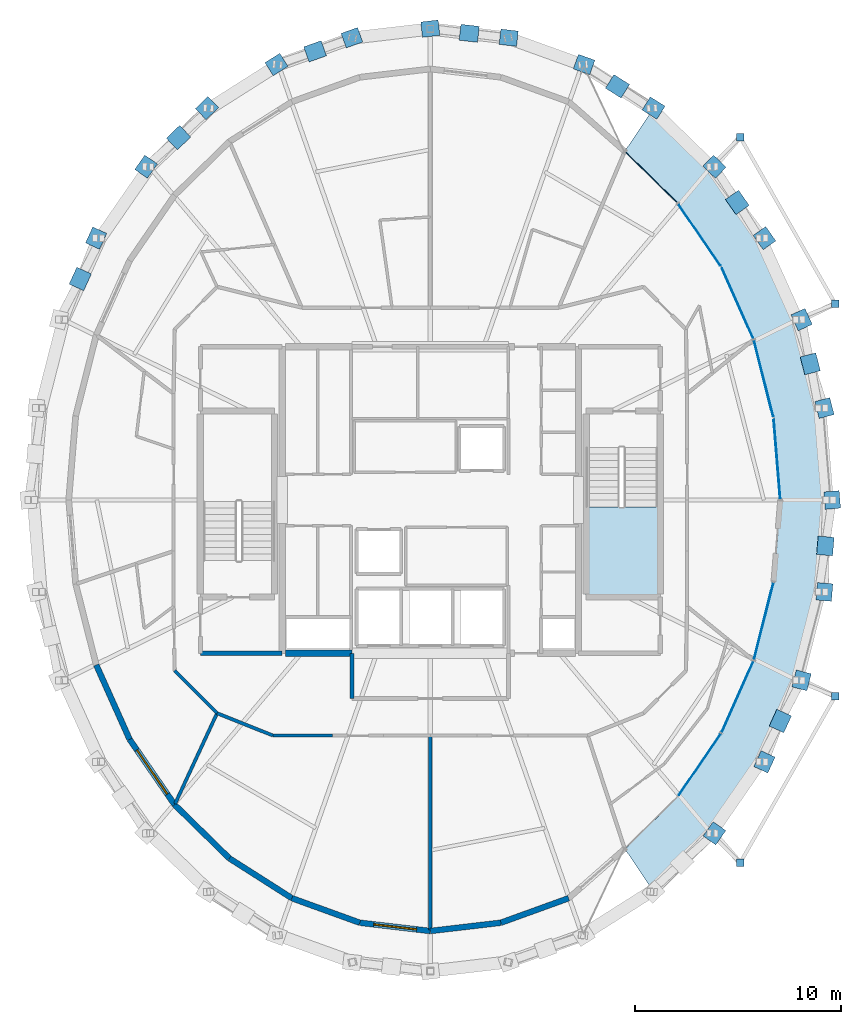
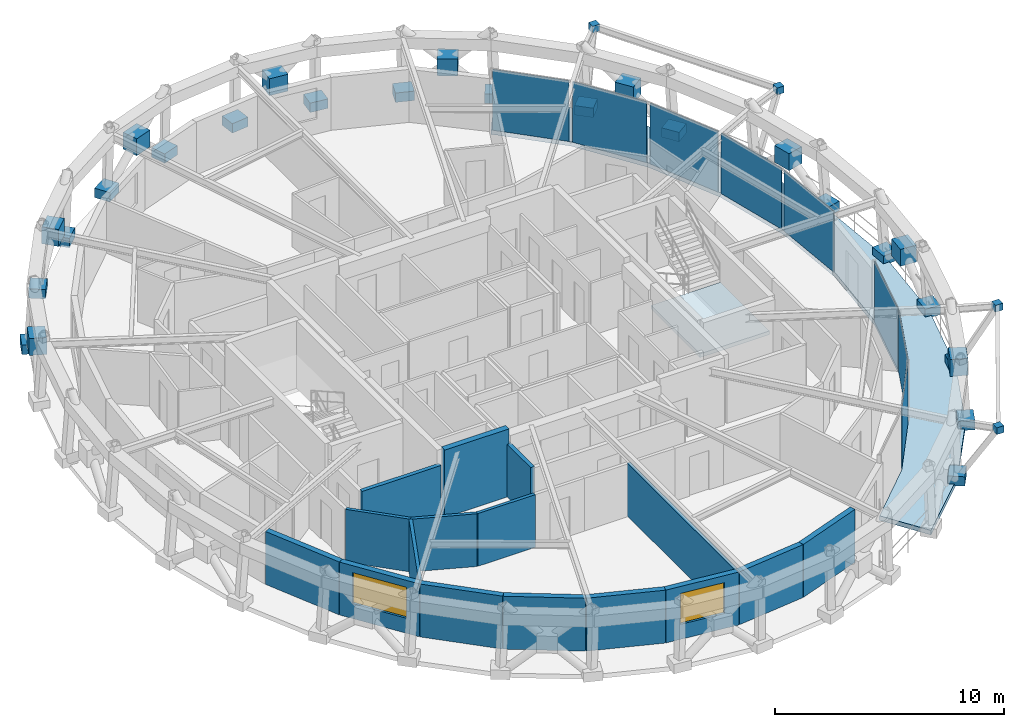
# One storey, part 9 of 14: 39 plates, 16 walls, 2 slabs, 2 windows, 2 openings, 3 elements without a shape of their own.
"""IFC4 building model written with IfcOpenShell, lengths in metres."""

from ifc_helpers import new_model, si_unit, direction, frame, frame_2d, origin, origin_2d, place, context, subcontext, project, spatial, polyline, rectangle, outline, extrude, material, layer, layer_set, type_object, element, fill, aggregate, save


model = new_model("IFC4")

# Units and contexts
model_context = context("Model", 3, precision=1e-05, world=origin(), true_north=direction((0.0, 1.0)))
body_context = subcontext(model_context, "Body", "Model", "MODEL_VIEW")
ifc_project = project(units=[si_unit("LENGTHUNIT", "METRE"), si_unit("AREAUNIT", "SQUARE_METRE"), si_unit("VOLUMEUNIT", "CUBIC_METRE"), si_unit("PLANEANGLEUNIT", "RADIAN"), si_unit("MASSUNIT", "GRAM", prefix="KILO")], contexts=[model_context])

# Site, building, storey
site_placement = place(None, origin())
site = spatial("IfcSite", under=ifc_project, at=site_placement, CompositionType="ELEMENT")
building_placement = place(site_placement, origin())
building = spatial("IfcBuilding", under=site, at=building_placement, Name="Veldorina Hangang Commons", CompositionType="ELEMENT")
storey_placement = place(building_placement, frame((0.0, 0.0, 294.0)))
storey = spatial("IfcBuildingStorey", under=building, at=storey_placement, Name="L77", CompositionType="ELEMENT", Elevation=294.0)

# Curtain wall, plates
ifc_material_1 = material(Name="Glass Low-E Selective", Category="glass")
ifc_layer_1 = layer(ifc_material_1, 0.179931640625)
ifc_layer_set_1 = layer_set([ifc_layer_1], Name="Glass Low-E Selective")
curtain_wall_type = type_object("IfcCurtainWallType", Name="CW-SYS-Z3", PredefinedType="NOTDEFINED", material=ifc_layer_set_1)
curtain_wall_1_placement = place(storey_placement, origin())
curtain_wall_1 = element("IfcCurtainWall", 1, at=curtain_wall_1_placement, inside=storey, type_object=curtain_wall_type, Name="L77 unitised curtain wall CW-L77-R1", PredefinedType="NOTDEFINED")
ifc_material_2 = material(Name="Glass Low-E Triple IGU", Category="glass")
ifc_layer_2 = layer(ifc_material_2, 0.0400390625)
ifc_layer_set_2 = layer_set([ifc_layer_2], Name="Glass Low-E Triple IGU")
plate_type_1 = type_object("IfcPlateType", Name="CW-PNL-VIS", PredefinedType="CURTAIN_PANEL", material=ifc_layer_set_2)
plate_1_placement = place(storey_placement, frame((48.8525390625, 25.9892578125, 0.014892578125), z_axis=(0.0, 0.0, 1.0), x_axis=(-0.081921114014, 0.996638816763, 0.0)))
plate_1 = element("IfcPlate", 2, at=plate_1_placement, type_object=plate_type_1, Name="CW-L77-R1 facet 1 glazed vision panel", PredefinedType="CURTAIN_PANEL", context=body_context, shape_type="SweptSolid", body=[
    extrude(rectangle(XDim=3.811767578125, YDim=0.0400390625, at=origin_2d()), origin(), (0.0, 0.0, 1.0), 3.22998046875),
])
plate_2_placement = place(storey_placement, frame((48.204833984375, 29.89111328125, 0.014892578125), z_axis=(0.0, 0.0, 1.0), x_axis=(-0.245391985011, 0.969423939096, 0.0)))
plate_2 = element("IfcPlate", 3, at=plate_2_placement, type_object=plate_type_1, Name="CW-L77-R1 facet 2 glazed vision panel", PredefinedType="CURTAIN_PANEL", context=body_context, shape_type="SweptSolid", body=[
    extrude(rectangle(XDim=3.76611328125, YDim=0.0400390625, at=origin_2d()), origin(), (0.0, 0.0, 1.0), 3.22998046875),
])
plate_3_placement = place(storey_placement, frame((46.9345703125, 33.56640625, 0.014892578125), z_axis=(0.0, 0.0, 1.0), x_axis=(-0.407326500142, 0.913282608113, 0.0)))
plate_3 = element("IfcPlate", 4, at=plate_3_placement, type_object=plate_type_1, Name="CW-L77-R1 facet 3 glazed vision panel", PredefinedType="CURTAIN_PANEL", context=body_context, shape_type="SweptSolid", body=[
    extrude(rectangle(XDim=3.680419921875, YDim=0.0400390625, at=origin_2d()), origin(), (0.0, 0.0, 1.0), 3.22998046875),
])
plate_4_placement = place(storey_placement, frame((45.090087890625, 36.874267578125, 0.014892578125), z_axis=(0.0, 0.0, 1.0), x_axis=(-0.565024605837, 0.82507405413, 0.0)))
plate_4 = element("IfcPlate", 5, at=plate_4_placement, type_object=plate_type_1, Name="CW-L77-R1 facet 4 glazed vision panel", PredefinedType="CURTAIN_PANEL", context=body_context, shape_type="SweptSolid", body=[
    extrude(rectangle(XDim=3.565185546875, YDim=0.0400390625, at=origin_2d()), origin(), (0.0, 0.0, 1.0), 3.22998046875),
])
plate_5_placement = place(storey_placement, frame((42.742919921875, 39.6875, 0.014892578125), z_axis=(0.0, 0.0, 1.0), x_axis=(-0.712956790403, 0.70120796845, 0.0)))
plate_5 = element("IfcPlate", 6, at=plate_5_placement, type_object=plate_type_1, Name="CW-L77-R1 facet 5 glazed vision panel", PredefinedType="CURTAIN_PANEL", context=body_context, shape_type="SweptSolid", body=[
    extrude(rectangle(XDim=3.4365234375, YDim=0.0400390625, at=origin_2d()), origin(), (0.0, 0.0, 1.0), 3.22998046875),
])
aggregate(curtain_wall_1, [plate_1, plate_2, plate_3, plate_4, plate_5])

curtain_wall_2_placement = place(storey_placement, origin())
curtain_wall_2 = element("IfcCurtainWall", 7, at=curtain_wall_2_placement, inside=storey, type_object=curtain_wall_type, Name="L77 unitised curtain wall CW-L77-R2", PredefinedType="NOTDEFINED")
plate_6_placement = place(storey_placement, frame((45.090087890625, 11.125732421875, 0.014892578125), z_axis=(0.0, 0.0, 1.0), x_axis=(0.565024605837, 0.82507405413, 0.0)))
plate_6 = element("IfcPlate", 8, at=plate_6_placement, type_object=plate_type_1, Name="CW-L77-R2 facet 2 glazed vision panel", PredefinedType="CURTAIN_PANEL", context=body_context, shape_type="SweptSolid", body=[
    extrude(rectangle(XDim=3.565185546875, YDim=0.0400390625, at=origin_2d()), origin(), (0.0, 0.0, 1.0), 3.22998046875),
])
plate_7_placement = place(storey_placement, frame((46.9345703125, 14.43359375, 0.014892578125), z_axis=(0.0, 0.0, 1.0), x_axis=(0.407326500142, 0.913282608113, 0.0)))
plate_7 = element("IfcPlate", 9, at=plate_7_placement, type_object=plate_type_1, Name="CW-L77-R2 facet 3 glazed vision panel", PredefinedType="CURTAIN_PANEL", context=body_context, shape_type="SweptSolid", body=[
    extrude(rectangle(XDim=3.680419921875, YDim=0.0400390625, at=origin_2d()), origin(), (0.0, 0.0, 1.0), 3.22998046875),
])
plate_8_placement = place(storey_placement, frame((48.204833984375, 18.10888671875, 0.014892578125), z_axis=(0.0, 0.0, 1.0), x_axis=(0.245391985011, 0.969423939096, 0.0)))
plate_8 = element("IfcPlate", 10, at=plate_8_placement, type_object=plate_type_1, Name="CW-L77-R2 facet 4 glazed vision panel", PredefinedType="CURTAIN_PANEL", context=body_context, shape_type="SweptSolid", body=[
    extrude(rectangle(XDim=3.76611328125, YDim=0.0400390625, at=origin_2d()), origin(), (0.0, 0.0, 1.0), 3.22998046875),
])
aggregate(curtain_wall_2, [plate_6, plate_7, plate_8])

# Plates
ifc_material_3 = material(Name="Steel SM460-TMC", Category="steel")
ifc_layer_3 = layer(ifc_material_3, 0.035888671875)
ifc_layer_set_3 = layer_set([ifc_layer_3], Name="Steel SM460-TMC")
plate_type_2 = type_object("IfcPlateType", Name="PL-STAR-36", PredefinedType="USERDEFINED", material=ifc_layer_set_3)
for number, where, z_axis, x_axis, name in (
    (11, (51.535888671875, 24.0, -0.090087890625), (0.0, 0.0, 1.0), (-0.083695235401, 0.996491398644, 0.0), "L77 diagrid star-node gusset plate 00"),
    (12, (51.16064453125, 28.469970703125, -0.090087890625), (0.0, 0.0, 1.0), (-0.25039690138, 0.968143270275, 0.0), "L77 diagrid star-node gusset plate 01"),
):
    element("IfcPlate", number, at=place(storey_placement, frame(where, z_axis=z_axis, x_axis=x_axis)), inside=storey, type_object=plate_type_2, Name=name, ObjectType="GUSSET PLATE", PredefinedType="USERDEFINED", context=body_context, shape_type="SweptSolid", body=[
        extrude(rectangle(XDim=0.85009765625, YDim=0.75, at=origin_2d()), origin(), (0.0, 0.0, 1.0), 0.5),
    ])
plate_9_placement = place(storey_placement, frame((50.47216796875, 30.6181640625, 1.351318359375), z_axis=(0.0, 0.0, 1.0), x_axis=(-0.25039690138, 0.968143270275, 0.0)))
element("IfcPlate", 13, at=plate_9_placement, inside=storey, type_object=plate_type_2, Name="L77 diagrid X-crossing star-node gusset plate 01", ObjectType="GUSSET PLATE", PredefinedType="USERDEFINED", context=body_context, shape_type="SweptSolid", body=[
    extrude(rectangle(XDim=0.89990234375, YDim=0.780029296875, at=origin_2d()), origin(), (0.0, 0.0, 1.0), 0.89990234375),
])
for number, where, z_axis, x_axis, name in (
    (14, (50.048828125, 32.76806640625, -0.090087890625), (0.0, 0.0, 1.0), (-0.414709124413, 0.909954032975, 0.0), "L77 diagrid star-node gusset plate 02"),
    (15, (48.24365234375, 36.729248046875, -0.090087890625), (0.0, 0.0, 1.0), (-0.573333363803, 0.819322191784, 0.0), "L77 diagrid star-node gusset plate 03"),
):
    element("IfcPlate", number, at=place(storey_placement, frame(where, z_axis=z_axis, x_axis=x_axis)), inside=storey, type_object=plate_type_2, Name=name, ObjectType="GUSSET PLATE", PredefinedType="USERDEFINED", context=body_context, shape_type="SweptSolid", body=[
        extrude(rectangle(XDim=0.85009765625, YDim=0.75, at=origin_2d()), origin(), (0.0, 0.0, 1.0), 0.5),
    ])
plate_10_placement = place(storey_placement, frame((46.92431640625, 38.465576171875, 1.354736328125), z_axis=(0.0, 0.0, 1.0), x_axis=(-0.573333363803, 0.819322191784, 0.0)))
element("IfcPlate", 16, at=plate_10_placement, inside=storey, type_object=plate_type_2, Name="L77 diagrid X-crossing star-node gusset plate 03", ObjectType="GUSSET PLATE", PredefinedType="USERDEFINED", context=body_context, shape_type="SweptSolid", body=[
    extrude(rectangle(XDim=0.89990234375, YDim=0.780029296875, at=origin_2d()), origin(), (0.0, 0.0, 1.0), 0.89990234375),
])
for number, where, z_axis, x_axis, name in (
    (17, (45.81396484375, 40.201416015625, -0.090087890625), (0.0, 0.0, 1.0), (-0.720490598212, 0.693464705582, 0.0), "L77 diagrid star-node gusset plate 04"),
    (18, (42.853515625, 43.05078125, -0.090087890625), (0.0, 0.0, 1.0), (-0.847279553224, 0.531147209997, 0.0), "L77 diagrid star-node gusset plate 05"),
):
    element("IfcPlate", number, at=place(storey_placement, frame(where, z_axis=z_axis, x_axis=x_axis)), inside=storey, type_object=plate_type_2, Name=name, ObjectType="GUSSET PLATE", PredefinedType="USERDEFINED", context=body_context, shape_type="SweptSolid", body=[
        extrude(rectangle(XDim=0.85009765625, YDim=0.75, at=origin_2d()), origin(), (0.0, 0.0, 1.0), 0.5),
    ])
plate_11_placement = place(storey_placement, frame((41.100830078125, 44.109375, 1.359619140625), z_axis=(0.0, 0.0, 1.0), x_axis=(-0.847279553224, 0.531147209997, 0.0)))
element("IfcPlate", 19, at=plate_11_placement, inside=storey, type_object=plate_type_2, Name="L77 diagrid X-crossing star-node gusset plate 05", ObjectType="GUSSET PLATE", PredefinedType="USERDEFINED", context=body_context, shape_type="SweptSolid", body=[
    extrude(rectangle(XDim=0.89990234375, YDim=0.780029296875, at=origin_2d()), origin(), (0.0, 0.0, 1.0), 0.89990234375),
])
for number, where, z_axis, x_axis, name in (
    (20, (39.47607421875, 45.16796875, -0.090087890625), (0.0, 0.0, 1.0), (-0.942145241518, 0.335204928193, 0.0), "L77 diagrid star-node gusset plate 06"),
    (21, (35.811279296875, 46.471923828125, -0.090087890625), (0.0, 0.0, 1.0), (-0.993396816194, 0.114729096468, 0.0), "L77 diagrid star-node gusset plate 07"),
):
    element("IfcPlate", number, at=place(storey_placement, frame(where, z_axis=z_axis, x_axis=x_axis)), inside=storey, type_object=plate_type_2, Name=name, ObjectType="GUSSET PLATE", PredefinedType="USERDEFINED", context=body_context, shape_type="SweptSolid", body=[
        extrude(rectangle(XDim=0.85009765625, YDim=0.75, at=origin_2d()), origin(), (0.0, 0.0, 1.0), 0.5),
    ])
plate_12_placement = place(storey_placement, frame((33.891845703125, 46.6875, 1.363037109375), z_axis=(0.0, 0.0, 1.0), x_axis=(-0.993396816194, 0.114729096468, 0.0)))
element("IfcPlate", 22, at=plate_12_placement, inside=storey, type_object=plate_type_2, Name="L77 diagrid X-crossing star-node gusset plate 07", ObjectType="GUSSET PLATE", PredefinedType="USERDEFINED", context=body_context, shape_type="SweptSolid", body=[
    extrude(rectangle(XDim=0.89990234375, YDim=0.780029296875, at=origin_2d()), origin(), (0.0, 0.0, 1.0), 0.89990234375),
])
for number, where, z_axis, x_axis, name in (
    (23, (32.0, 46.912109375, -0.090087890625), (0.0, 0.0, 1.0), (-0.993396816194, -0.114729096468, 0.0), "L77 diagrid star-node gusset plate 08"),
    (24, (28.188720703125, 46.471923828125, -0.090087890625), (0.0, 0.0, 1.0), (-0.942145241518, -0.335204928193, 0.0), "L77 diagrid star-node gusset plate 09"),
):
    element("IfcPlate", number, at=place(storey_placement, frame(where, z_axis=z_axis, x_axis=x_axis)), inside=storey, type_object=plate_type_2, Name=name, ObjectType="GUSSET PLATE", PredefinedType="USERDEFINED", context=body_context, shape_type="SweptSolid", body=[
        extrude(rectangle(XDim=0.85009765625, YDim=0.75, at=origin_2d()), origin(), (0.0, 0.0, 1.0), 0.5),
    ])
plate_13_placement = place(storey_placement, frame((26.3994140625, 45.81005859375, 1.36181640625), z_axis=(0.0, 0.0, 1.0), x_axis=(-0.942145241518, -0.335204928193, 0.0)))
element("IfcPlate", 25, at=plate_13_placement, inside=storey, type_object=plate_type_2, Name="L77 diagrid X-crossing star-node gusset plate 09", ObjectType="GUSSET PLATE", PredefinedType="USERDEFINED", context=body_context, shape_type="SweptSolid", body=[
    extrude(rectangle(XDim=0.89990234375, YDim=0.780029296875, at=origin_2d()), origin(), (0.0, 0.0, 1.0), 0.89990234375),
])
for number, where, z_axis, x_axis, name in (
    (26, (24.52392578125, 45.16796875, -0.090087890625), (0.0, 0.0, 1.0), (-0.847279553224, -0.531147209997, 0.0), "L77 diagrid star-node gusset plate 10"),
    (27, (21.146484375, 43.05078125, -0.090087890625), (0.0, 0.0, 1.0), (-0.720490598212, -0.693464705582, 0.0), "L77 diagrid star-node gusset plate 11"),
):
    element("IfcPlate", number, at=place(storey_placement, frame(where, z_axis=z_axis, x_axis=x_axis)), inside=storey, type_object=plate_type_2, Name=name, ObjectType="GUSSET PLATE", PredefinedType="USERDEFINED", context=body_context, shape_type="SweptSolid", body=[
        extrude(rectangle(XDim=0.85009765625, YDim=0.75, at=origin_2d()), origin(), (0.0, 0.0, 1.0), 0.5),
    ])
plate_14_placement = place(storey_placement, frame((19.761962890625, 41.6162109375, 1.357177734375), z_axis=(0.0, 0.0, 1.0), x_axis=(-0.720490598212, -0.693464705582, 0.0)))
element("IfcPlate", 28, at=plate_14_placement, inside=storey, type_object=plate_type_2, Name="L77 diagrid X-crossing star-node gusset plate 11", ObjectType="GUSSET PLATE", PredefinedType="USERDEFINED", context=body_context, shape_type="SweptSolid", body=[
    extrude(rectangle(XDim=0.89990234375, YDim=0.780029296875, at=origin_2d()), origin(), (0.0, 0.0, 1.0), 0.89990234375),
])
for number, where, z_axis, x_axis, name in (
    (29, (18.18603515625, 40.201416015625, -0.090087890625), (0.0, 0.0, 1.0), (-0.573333363803, -0.819322191784, 0.0), "L77 diagrid star-node gusset plate 12"),
    (30, (15.75634765625, 36.729248046875, -0.090087890625), (0.0, 0.0, 1.0), (-0.414709124413, -0.909954032975, 0.0), "L77 diagrid star-node gusset plate 13"),
):
    element("IfcPlate", number, at=place(storey_placement, frame(where, z_axis=z_axis, x_axis=x_axis)), inside=storey, type_object=plate_type_2, Name=name, ObjectType="GUSSET PLATE", PredefinedType="USERDEFINED", context=body_context, shape_type="SweptSolid", body=[
        extrude(rectangle(XDim=0.85009765625, YDim=0.75, at=origin_2d()), origin(), (0.0, 0.0, 1.0), 0.5),
    ])
plate_15_placement = place(storey_placement, frame((14.984619140625, 34.743408203125, 1.3525390625), z_axis=(0.0, 0.0, 1.0), x_axis=(-0.414709124413, -0.909954032975, 0.0)))
element("IfcPlate", 31, at=plate_15_placement, inside=storey, type_object=plate_type_2, Name="L77 diagrid X-crossing star-node gusset plate 13", ObjectType="GUSSET PLATE", PredefinedType="USERDEFINED", context=body_context, shape_type="SweptSolid", body=[
    extrude(rectangle(XDim=0.89990234375, YDim=0.780029296875, at=origin_2d()), origin(), (0.0, 0.0, 1.0), 0.89990234375),
])
for number, where, z_axis, x_axis, name in (
    (32, (45.81396484375, 7.798583984375, -0.090087890625), (0.0, 0.0, 1.0), (0.573333363803, 0.819322191784, 0.0), "L77 diagrid star-node gusset plate 28"),
    (33, (48.24365234375, 11.270751953125, -0.090087890625), (0.0, 0.0, 1.0), (0.414709124413, 0.909954032975, 0.0), "L77 diagrid star-node gusset plate 29"),
):
    element("IfcPlate", number, at=place(storey_placement, frame(where, z_axis=z_axis, x_axis=x_axis)), inside=storey, type_object=plate_type_2, Name=name, ObjectType="GUSSET PLATE", PredefinedType="USERDEFINED", context=body_context, shape_type="SweptSolid", body=[
        extrude(rectangle(XDim=0.85009765625, YDim=0.75, at=origin_2d()), origin(), (0.0, 0.0, 1.0), 0.5),
    ])
plate_16_placement = place(storey_placement, frame((49.015380859375, 13.256591796875, 1.3525390625), z_axis=(0.0, 0.0, 1.0), x_axis=(0.414709124413, 0.909954032975, 0.0)))
element("IfcPlate", 34, at=plate_16_placement, inside=storey, type_object=plate_type_2, Name="L77 diagrid X-crossing star-node gusset plate 29", ObjectType="GUSSET PLATE", PredefinedType="USERDEFINED", context=body_context, shape_type="SweptSolid", body=[
    extrude(rectangle(XDim=0.89990234375, YDim=0.780029296875, at=origin_2d()), origin(), (0.0, 0.0, 1.0), 0.89990234375),
])
for number, where, z_axis, x_axis, name in (
    (35, (50.048828125, 15.23193359375, -0.090087890625), (0.0, 0.0, 1.0), (0.25039690138, 0.968143270275, 0.0), "L77 diagrid star-node gusset plate 30"),
    (36, (51.16064453125, 19.530029296875, -0.090087890625), (0.0, 0.0, 1.0), (0.083695235401, 0.996491398644, 0.0), "L77 diagrid star-node gusset plate 31"),
):
    element("IfcPlate", number, at=place(storey_placement, frame(where, z_axis=z_axis, x_axis=x_axis)), inside=storey, type_object=plate_type_2, Name=name, ObjectType="GUSSET PLATE", PredefinedType="USERDEFINED", context=body_context, shape_type="SweptSolid", body=[
        extrude(rectangle(XDim=0.85009765625, YDim=0.75, at=origin_2d()), origin(), (0.0, 0.0, 1.0), 0.5),
    ])
plate_17_placement = place(storey_placement, frame((51.205322265625, 21.765625, 1.3505859375), z_axis=(0.0, 0.0, 1.0), x_axis=(0.083695235401, 0.996491398644, 0.0)))
element("IfcPlate", 37, at=plate_17_placement, inside=storey, type_object=plate_type_2, Name="L77 diagrid X-crossing star-node gusset plate 31", ObjectType="GUSSET PLATE", PredefinedType="USERDEFINED", context=body_context, shape_type="SweptSolid", body=[
    extrude(rectangle(XDim=0.89990234375, YDim=0.780029296875, at=origin_2d()), origin(), (0.0, 0.0, 1.0), 0.89990234375),
])
for number, where, z_axis, x_axis, name in (
    (38, (47.061279296875, 6.357666015625, 2.94482421875), (0.0, 0.0, 1.0), (1.0, 0.0, 0.0), "L78 tree balcony 1 strut end gusset A"),
    (39, (51.6787109375, 14.451904296875, 2.94482421875), (0.0, 0.0, 1.0), (1.0, 0.0, 0.0), "L78 tree balcony 1 strut end gusset B"),
    (40, (51.6787109375, 33.548095703125, 2.94482421875), (0.0, 0.0, 1.0), (1.0, 0.0, 0.0), "L78 tree balcony 2 strut end gusset A"),
    (41, (47.061279296875, 41.642333984375, 2.94482421875), (0.0, 0.0, 1.0), (1.0, 0.0, 0.0), "L78 tree balcony 2 strut end gusset B"),
):
    element("IfcPlate", number, at=place(storey_placement, frame(where, z_axis=z_axis, x_axis=x_axis)), inside=storey, type_object=plate_type_2, Name=name, ObjectType="GUSSET PLATE", PredefinedType="USERDEFINED", context=body_context, shape_type="SweptSolid", body=[
        extrude(rectangle(XDim=0.360107421875, YDim=0.360107421875, at=origin_2d()), origin(), (0.0, 0.0, 1.0), 0.360107421875),
    ])

# Slab
ifc_material_4 = material(Name="Concrete C40/50", Category="concrete")
ifc_layer_4 = layer(ifc_material_4, 0.239990234375)
ifc_layer_set_4 = layer_set([ifc_layer_4], Name="Concrete C40/50")
slab_type_1 = type_object("IfcSlabType", Name="SL-FLR-240", PredefinedType="FLOOR", material=ifc_layer_set_4)
slab_1_placement = place(storey_placement, frame((0.0, 0.0, -0.239990234375)))
element("IfcSlab", 42, at=slab_1_placement, inside=storey, type_object=slab_type_1, Name="L77 sky-garden loggia outdoor slab", PredefinedType="FLOOR", context=body_context, shape_type="SweptSolid", body=[
    extrude(outline(polyline([(42.853515625, 43.05078125), (45.81396484375, 40.201416015625), (48.24365234375, 36.729248046875), (50.048828125, 32.76806640625), (51.16064453125, 28.469970703125), (51.535888671875, 24.0), (51.16064453125, 19.530029296875), (50.048828125, 15.23193359375), (48.24365234375, 11.270751953125), (45.81396484375, 7.798583984375), (42.853515625, 4.94921875), (41.46337890625, 7.030029296875), (41.466064453125, 7.035888671875), (44.04248046875, 9.56982421875), (44.043701171875, 9.571044921875), (44.04443359375, 9.572021484375), (46.16064453125, 12.662353515625), (46.161376953125, 12.66357421875), (46.162109375, 12.664794921875), (47.734375, 16.190185546875), (47.73486328125, 16.19140625), (47.735107421875, 16.192626953125), (48.70361328125, 20.01806640625), (48.703857421875, 20.019287109375), (48.703857421875, 20.0205078125), (49.031005859375, 23.998779296875), (49.031005859375, 24.0), (49.031005859375, 24.001220703125), (48.703857421875, 27.9794921875), (48.703857421875, 27.980712890625), (48.70361328125, 27.98193359375), (47.735107421875, 31.807373046875), (47.73486328125, 31.80859375), (47.734375, 31.809814453125), (46.162109375, 35.335205078125), (46.161376953125, 35.33642578125), (46.16064453125, 35.337646484375), (44.04443359375, 38.427978515625), (44.043701171875, 38.428955078125), (44.04248046875, 38.43017578125), (41.466064453125, 40.964111328125), (41.46337890625, 40.969970703125), (42.853515625, 43.05078125)])), origin(), (0.0, 0.0, 1.0), 0.239990234375),
])

# Stair, slab
stair_type = type_object("IfcStairType", Name="STR-DOG-1650-20R", PredefinedType="HALF_TURN_STAIR", material=ifc_material_4)
stair_placement = place(storey_placement, origin())
stair = element("IfcStair", 43, at=stair_placement, inside=storey, type_object=stair_type, Name="L77 Exit stair ST-2", PredefinedType="HALF_TURN_STAIR")
ifc_layer_5 = layer(ifc_material_4, 0.199951171875)
ifc_layer_set_5 = layer_set([ifc_layer_5], Name="Concrete C40/50")
slab_type_2 = type_object("IfcSlabType", Name="SL-LND-200", PredefinedType="LANDING", material=ifc_layer_set_5)
slab_2_placement = place(storey_placement, frame((0.0, 0.0, 1.60009765625)))
slab_2 = element("IfcSlab", 44, at=slab_2_placement, type_object=slab_type_2, Name="ST-2 landing 1", PredefinedType="LANDING", context=body_context, shape_type="SweptSolid", body=[
    extrude(outline(polyline([(39.550048828125, 23.669921875), (39.550048828125, 19.39990234375), (43.050048828125, 19.39990234375), (43.050048828125, 23.669921875), (39.550048828125, 23.669921875)])), origin(), (0.0, 0.0, 1.0), 0.199951171875),
])
aggregate(stair, [slab_2])

# Walls
ifc_material_5 = material(Name="Concrete C50/60", Category="concrete")
ifc_layer_6 = layer(ifc_material_5, 0.300048828125)
ifc_layer_set_6 = layer_set([ifc_layer_6], Name="Concrete C50/60")
wall_type_1 = type_object("IfcWallType", Name="CW-RC300-C50", PredefinedType="SHEAR", material=ifc_layer_set_6)
wall_1_placement = place(storey_placement, frame((24.949951171875, 16.550048828125, 0.0), z_axis=(0.0, 0.0, 1.0), x_axis=(1.0, 0.0, 0.0)))
element("IfcWall", 45, at=wall_1_placement, inside=storey, type_object=wall_type_1, Name="L77 south-west core shear wall", PredefinedType="SHEAR", context=body_context, shape_type="SweptSolid", body=[
    extrude(rectangle(XDim=3.25, YDim=0.300048828125, at=frame_2d((1.625, 0.0))), origin(), (0.0, 0.0, 1.0), 3.60009765625),
])
ifc_material_6 = material(Name="Stone Roman Travertine", Category="masonry")
ifc_layer_7 = layer(ifc_material_6, 0.280029296875)
ifc_layer_set_7 = layer_set([ifc_layer_7], Name="Stone Roman Travertine")
wall_type_2 = type_object("IfcWallType", Name="EW-TRAV-280", PredefinedType="STANDARD", material=ifc_layer_set_7)
wall_2_placement = place(storey_placement, frame((15.761962890625, 15.98193359375, 0.0), z_axis=(0.0, 0.0, 1.0), x_axis=(0.409103581908, -0.912487950205, 0.0)))
element("IfcWall", 46, at=wall_2_placement, inside=storey, type_object=wall_type_2, Name="L77 travertine facade wall 18", PredefinedType="STANDARD", context=body_context, shape_type="SweptSolid", body=[
    extrude(rectangle(XDim=3.9697265625, YDim=0.280029296875, at=frame_2d((1.98486328125, 0.0))), origin(), (0.0, 0.0, 1.0), 2.820068359375),
])

# Wall, opening, window
wall_3_placement = place(storey_placement, frame((17.385986328125, 12.359619140625, 0.0), z_axis=(0.0, 0.0, 1.0), x_axis=(0.567090463347, -0.823655514388, 0.0)))
wall_3 = element("IfcWall", 47, at=wall_3_placement, inside=storey, type_object=wall_type_2, Name="L77 travertine facade wall 19", PredefinedType="STANDARD", context=body_context, shape_type="SweptSolid", body=[
    extrude(rectangle(XDim=3.854736328125, YDim=0.280029296875, at=frame_2d((1.92724609375, 0.0))), origin(), (0.0, 0.0, 1.0), 2.820068359375),
])
opening_1_placement = place(wall_3_placement, frame((0.627197265625, 0.0, 0.800048828125)))
opening_1 = element("IfcOpeningElement", 48, at=opening_1_placement, cuts=wall_3, Name="Opening W-02", PredefinedType="OPENING", context=body_context, shape_type="SweptSolid", body=[
    extrude(rectangle(XDim=2.60009765625, YDim=1.64990234375, at=frame_2d((1.300048828125, 0.824951171875))), frame((0.0, 0.14990234375, 0.0), z_axis=(0.0, -1.0, 0.0), x_axis=(1.0, 0.0, 0.0)), (0.0, 0.0, 1.0), 0.300048828125),
])
window_type_1 = type_object("IfcWindowType", Name="WIN-TWR-2600", PartitioningType="SINGLE_PANEL", PredefinedType="WINDOW", material=ifc_material_2)
window_1_placement = place(opening_1_placement, origin())
window_1 = element("IfcWindow", 49, at=window_1_placement, inside=storey, type_object=window_type_1, Name="L77 facade window 19", OverallHeight=1.64990234375, OverallWidth=2.60009765625, PartitioningType="SINGLE_PANEL", PredefinedType="WINDOW", context=body_context, shape_type="SweptSolid", body=[
    extrude(rectangle(XDim=2.60009765625, YDim=1.64990234375, at=frame_2d((1.300048828125, 0.824951171875))), frame((0.0, 0.030029296875, 0.0), z_axis=(0.0, -1.0, 0.0), x_axis=(1.0, 0.0, 0.0)), (0.0, 0.0, 1.0), 0.06005859375),
])
fill(opening_1, window_1)

# Walls
wall_4_placement = place(storey_placement, frame((19.572021484375, 9.1845703125, 0.0), z_axis=(0.0, 0.0, 1.0), x_axis=(0.714829041056, -0.699299250724, 0.0)))
element("IfcWall", 50, at=wall_4_placement, inside=storey, type_object=wall_type_2, Name="L77 travertine facade wall 20", PredefinedType="STANDARD", context=body_context, shape_type="SweptSolid", body=[
    extrude(rectangle(XDim=3.725830078125, YDim=0.280029296875, at=frame_2d((1.86279296875, 0.0))), origin(), (0.0, 0.0, 1.0), 2.820068359375),
])
wall_5_placement = place(storey_placement, frame((22.2353515625, 6.5791015625, 0.0), z_axis=(0.0, 0.0, 1.0), x_axis=(0.843329306989, -0.537397134319, 0.0)))
element("IfcWall", 51, at=wall_5_placement, inside=storey, type_object=wall_type_2, Name="L77 travertine facade wall 21", PredefinedType="STANDARD", context=body_context, shape_type="SweptSolid", body=[
    extrude(rectangle(XDim=3.60302734375, YDim=0.280029296875, at=frame_2d((1.801513671875, 0.0))), origin(), (0.0, 0.0, 1.0), 2.820068359375),
])
wall_6_placement = place(storey_placement, frame((25.27392578125, 4.642822265625, 0.0), z_axis=(0.0, 0.0, 1.0), x_axis=(0.940393758193, -0.340087605703, 0.0)))
element("IfcWall", 52, at=wall_6_placement, inside=storey, type_object=wall_type_2, Name="L77 travertine facade wall 22", PredefinedType="STANDARD", context=body_context, shape_type="SweptSolid", body=[
    extrude(rectangle(XDim=3.506103515625, YDim=0.280029296875, at=frame_2d((1.7529296875, 0.0))), origin(), (0.0, 0.0, 1.0), 2.820068359375),
])

# Wall, opening, window
wall_7_placement = place(storey_placement, frame((28.571044921875, 3.450439453125, 0.0), z_axis=(0.0, 0.0, 1.0), x_axis=(0.993178090084, -0.116607381314, 0.0)))
wall_7 = element("IfcWall", 53, at=wall_7_placement, inside=storey, type_object=wall_type_2, Name="L77 travertine facade wall 23", PredefinedType="STANDARD", context=body_context, shape_type="SweptSolid", body=[
    extrude(rectangle(XDim=3.452392578125, YDim=0.280029296875, at=frame_2d((1.72607421875, 0.0))), origin(), (0.0, 0.0, 1.0), 2.820068359375),
])
opening_2_placement = place(wall_7_placement, frame((0.67626953125, 0.0, 0.800048828125)))
opening_2 = element("IfcOpeningElement", 54, at=opening_2_placement, cuts=wall_7, Name="Opening W-03", PredefinedType="OPENING", context=body_context, shape_type="SweptSolid", body=[
    extrude(rectangle(XDim=2.10009765625, YDim=1.64990234375, at=frame_2d((1.050048828125, 0.824951171875))), frame((0.0, 0.14990234375, 0.0), z_axis=(0.0, -1.0, 0.0), x_axis=(1.0, 0.0, 0.0)), (0.0, 0.0, 1.0), 0.300048828125),
])
window_type_2 = type_object("IfcWindowType", Name="WIN-TWR-2100", PartitioningType="SINGLE_PANEL", PredefinedType="WINDOW", material=ifc_material_2)
window_2_placement = place(opening_2_placement, origin())
window_2 = element("IfcWindow", 55, at=window_2_placement, inside=storey, type_object=window_type_2, Name="L77 facade window 23", OverallHeight=1.64990234375, OverallWidth=2.10009765625, PartitioningType="SINGLE_PANEL", PredefinedType="WINDOW", context=body_context, shape_type="SweptSolid", body=[
    extrude(rectangle(XDim=2.10009765625, YDim=1.64990234375, at=frame_2d((1.050048828125, 0.824951171875))), frame((0.0, 0.030029296875, 0.0), z_axis=(0.0, -1.0, 0.0), x_axis=(1.0, 0.0, 0.0)), (0.0, 0.0, 1.0), 0.06005859375),
])
fill(opening_2, window_2)

# Walls
wall_8_placement = place(storey_placement, frame((32.0, 3.0478515625, 0.0), z_axis=(0.0, 0.0, 1.0), x_axis=(0.993178090084, 0.116607381314, 0.0)))
element("IfcWall", 56, at=wall_8_placement, inside=storey, type_object=wall_type_2, Name="L77 travertine facade wall 24", PredefinedType="STANDARD", context=body_context, shape_type="SweptSolid", body=[
    extrude(rectangle(XDim=3.452392578125, YDim=0.280029296875, at=frame_2d((1.72607421875, 0.0))), origin(), (0.0, 0.0, 1.0), 2.820068359375),
])
wall_9_placement = place(storey_placement, frame((35.428955078125, 3.450439453125, 0.0), z_axis=(0.0, 0.0, 1.0), x_axis=(0.940393758193, 0.340087605703, 0.0)))
element("IfcWall", 57, at=wall_9_placement, inside=storey, type_object=wall_type_2, Name="L77 travertine facade wall 25", PredefinedType="STANDARD", context=body_context, shape_type="SweptSolid", body=[
    extrude(rectangle(XDim=3.506103515625, YDim=0.280029296875, at=frame_2d((1.7529296875, 0.0))), origin(), (0.0, 0.0, 1.0), 2.820068359375),
])
ifc_material_7 = material(Name="Gypsum Fire-Rated Twin Stud Wall", Category="gypsum")
ifc_layer_8 = layer(ifc_material_7, 0.159912109375)
ifc_layer_set_8 = layer_set([ifc_layer_8], Name="Gypsum Fire-Rated Twin Stud Wall")
wall_type_3 = type_object("IfcWallType", Name="WL-FIRE-160", PredefinedType="SOLIDWALL", material=ifc_layer_set_8)
wall_10_placement = place(storey_placement, frame((19.5732421875, 15.69677734375, 0.0), z_axis=(0.0, 0.0, 1.0), x_axis=(0.707106781187, -0.707106781187, 0.0)))
element("IfcWall", 58, at=wall_10_placement, inside=storey, type_object=wall_type_3, Name="L77 Compact collar outer wall 19 075", PredefinedType="SOLIDWALL", context=body_context, shape_type="SweptSolid", body=[
    extrude(rectangle(XDim=2.915771484375, YDim=0.159912109375, at=frame_2d((1.4580078125, 0.0))), origin(), (0.0, 0.0, 1.0), 2.81005859375),
])
wall_11_placement = place(storey_placement, frame((21.635009765625, 13.635009765625, 0.0), z_axis=(0.0, 0.0, 1.0), x_axis=(0.92856882165, -0.371160266542, 0.0)))
element("IfcWall", 59, at=wall_11_placement, inside=storey, type_object=wall_type_3, Name="L77 Compact collar outer wall 20 076", PredefinedType="SOLIDWALL", context=body_context, shape_type="SweptSolid", body=[
    extrude(rectangle(XDim=2.923095703125, YDim=0.159912109375, at=frame_2d((1.46142578125, 0.0))), origin(), (0.0, 0.0, 1.0), 2.81005859375),
])
wall_12_placement = place(storey_placement, frame((24.349365234375, 12.550048828125, 0.0), z_axis=(0.0, 0.0, 1.0), x_axis=(1.0, 0.0, 0.0)))
element("IfcWall", 60, at=wall_12_placement, inside=storey, type_object=wall_type_3, Name="L77 Compact collar outer wall 21 077", PredefinedType="SOLIDWALL", context=body_context, shape_type="SweptSolid", body=[
    extrude(rectangle(XDim=2.907958984375, YDim=0.159912109375, at=frame_2d((1.4541015625, 0.0))), origin(), (0.0, 0.0, 1.0), 2.81005859375),
])
wall_13_placement = place(storey_placement, frame((21.635009765625, 13.635009765625, 0.0), z_axis=(0.0, 0.0, 1.0), x_axis=(-0.420569037513, -0.907260538481, 0.0)))
element("IfcWall", 61, at=wall_13_placement, inside=storey, type_object=wall_type_3, Name="L77 Unit party wall 20 107", PredefinedType="SOLIDWALL", context=body_context, shape_type="SweptSolid", body=[
    extrude(rectangle(XDim=4.855224609375, YDim=0.159912109375, at=frame_2d((2.427734375, 0.0))), origin(), (0.0, 0.0, 1.0), 2.81005859375),
])
wall_14_placement = place(storey_placement, frame((32.0, 12.550048828125, 0.0), z_axis=(0.0, 0.0, 1.0), x_axis=(0.0, -1.0, 0.0)))
element("IfcWall", 62, at=wall_14_placement, inside=storey, type_object=wall_type_3, Name="L77 Unit party wall 24 108", PredefinedType="SOLIDWALL", context=body_context, shape_type="SweptSolid", body=[
    extrude(rectangle(XDim=9.4521484375, YDim=0.159912109375, at=frame_2d((4.72607421875, 0.0))), origin(), (0.0, 0.0, 1.0), 2.81005859375),
])
ifc_material_8 = material(Name="Concrete Blockwork Fire Wall C30/37", Category="masonry")
ifc_layer_9 = layer(ifc_material_8, 0.199951171875)
ifc_layer_set_9 = layer_set([ifc_layer_9], Name="Concrete Blockwork Fire Wall C30/37")
wall_type_4 = type_object("IfcWallType", Name="WL-FIRE-200", PredefinedType="SOLIDWALL", material=ifc_layer_set_9)
wall_15_placement = place(storey_placement, frame((20.820068359375, 16.550048828125, 0.0), z_axis=(0.0, 0.0, 1.0), x_axis=(1.0, 0.0, 0.0)))
element("IfcWall", 63, at=wall_15_placement, inside=storey, type_object=wall_type_4, Name="L77 West vestibule south wall 002", PredefinedType="SOLIDWALL", context=body_context, shape_type="SweptSolid", body=[
    extrude(rectangle(XDim=3.97998046875, YDim=0.199951171875, at=frame_2d((1.989990234375, 0.0))), origin(), (0.0, 0.0, 1.0), 2.81005859375),
])
wall_16_placement = place(storey_placement, frame((28.199951171875, 14.35009765625, 0.0), z_axis=(0.0, 0.0, 1.0), x_axis=(0.0, 1.0, 0.0)))
element("IfcWall", 64, at=wall_16_placement, inside=storey, type_object=wall_type_4, Name="L77 FF lobby west wall 012", PredefinedType="SOLIDWALL", context=body_context, shape_type="SweptSolid", body=[
    extrude(rectangle(XDim=2.199951171875, YDim=0.199951171875, at=frame_2d((1.10009765625, 0.0))), origin(), (0.0, 0.0, 1.0), 2.81005859375),
])

save(model, "model.ifc")
